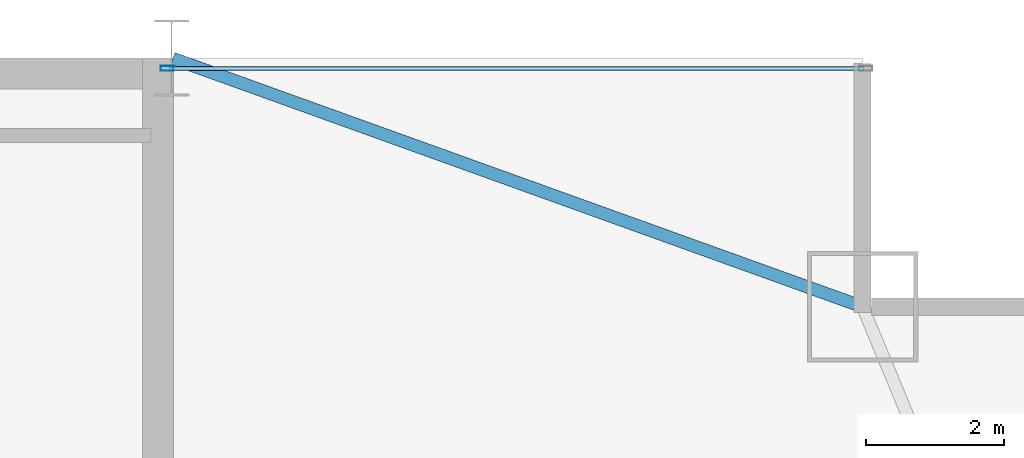
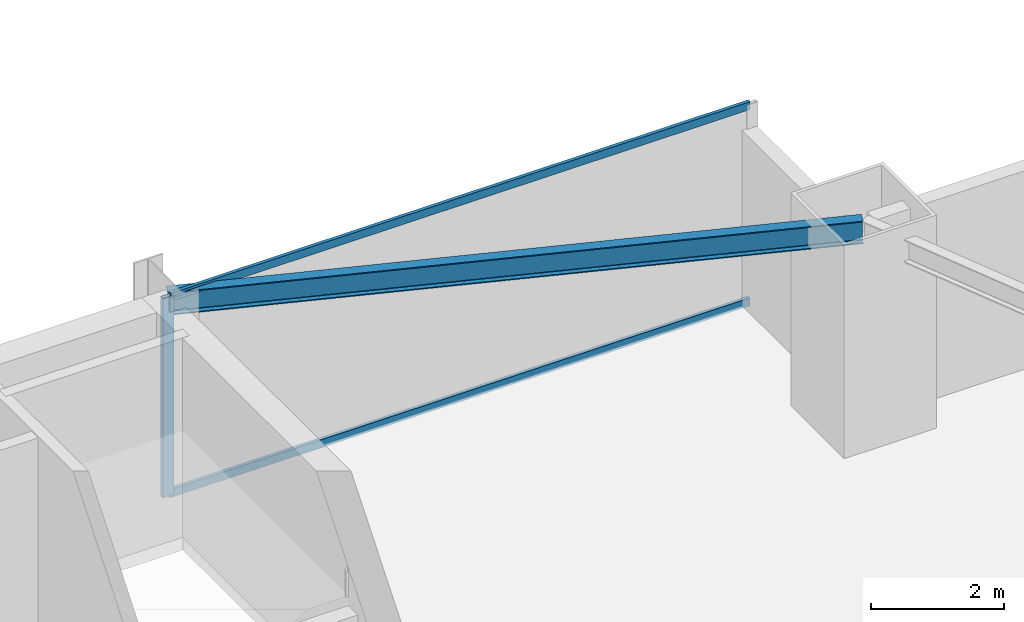
# One storey, part 23 of 32: 3 members, 1 beam, 1 element without a shape of its own.
"""IFC4 building model written with IfcOpenShell, lengths in metres."""

from ifc_helpers import new_model, si_unit, direction, frame, origin, origin_2d, place, context, subcontext, project, spatial, hollow_rectangle, i_section, extrude, source, transform, mapped, material, layer, layer_set, material_profile, profile_set, type_object, type_shapes, element, aggregate, save


model = new_model("IFC4")

# Units and contexts
model_context = context("Model", 3, precision=1e-05, world=origin(), true_north=direction((0.0, 1.0)))
body_context = subcontext(model_context, "Body", "Model", "MODEL_VIEW")
ifc_project = project(units=[si_unit("LENGTHUNIT", "METRE"), si_unit("AREAUNIT", "SQUARE_METRE"), si_unit("VOLUMEUNIT", "CUBIC_METRE"), si_unit("PLANEANGLEUNIT", "RADIAN"), si_unit("MASSUNIT", "GRAM", prefix="KILO")], contexts=[model_context])

# Site, building, storey
site_placement = place(None, origin())
site = spatial("IfcSite", under=ifc_project, at=site_placement, CompositionType="ELEMENT")
building_placement = place(site_placement, origin())
building = spatial("IfcBuilding", under=site, at=building_placement, Name="Varnel Quay Broadcast Tower", CompositionType="ELEMENT")
storey_placement = place(building_placement, frame((0.0, 0.0, 43.199951171875)))
storey = spatial("IfcBuildingStorey", under=building, at=storey_placement, Name="L09", CompositionType="ELEMENT", Elevation=43.199951171875)

# Beam
ifc_material_1 = material(Name="Structural Steel CSA G40.21 350W", Category="steel")
ifc_material_profile_1 = material_profile(ifc_material_1, i_section(OverallWidth=0.180908203125, OverallDepth=0.4169921875, WebThickness=0.010986328125, FlangeThickness=0.018310546875, FilletRadius=0.011962890625, at=origin_2d()), Name="W410X85")
ifc_profile_set_1 = profile_set([ifc_material_profile_1], Name="Structural Steel CSA G40.21 350W")
beam_type = type_object("IfcBeamType", Name="Beam_W410X85", PredefinedType="SPANDREL", material=ifc_profile_set_1)
shared_shape_1 = source(origin(), body_context, "Body", "SweptSolid", [
    extrude(i_section(OverallWidth=0.180908203125, OverallDepth=0.4169921875, WebThickness=0.010986328125, FlangeThickness=0.018310546875, FilletRadius=0.011962890625, at=origin_2d()), origin(), (0.0, 0.0, 1.0), 10.58837890625),
])
type_shapes(beam_type, [shared_shape_1])
beam_placement = place(storey_placement, frame((52.418701171875, 46.793212890625, 3.441650390625), z_axis=(0.940888587605, -0.338716202321, 0.0), x_axis=(0.338716202321, 0.940888587605, 0.0)))
element("IfcBeam", 1, at=beam_placement, inside=storey, type_object=beam_type, Name="L09 NE Tie Spandrel", PredefinedType="SPANDREL", context=body_context, shape_type="MappedRepresentation", body=[
    mapped(shared_shape_1, transform((0.0, 0.0, 0.0), x_axis=(1.0, 0.0, 0.0), y_axis=(0.0, 1.0, 0.0), z_axis=(0.0, 0.0, 1.0), scale=1.0)),
])

# Curtain wall, members
ifc_material_2 = material(Name="Anodised Bronze Aluminium 6063-T6", Category="aluminium")
ifc_layer = layer(ifc_material_2, 0.18994140625, Name="Anodised Bronze Aluminium 6063-T6")
ifc_layer_set = layer_set([ifc_layer], Name="Anodised Bronze Aluminium 6063-T6")
curtain_wall_type = type_object("IfcCurtainWallType", Name="CW_LowerTower", PredefinedType="NOTDEFINED", material=ifc_layer_set)
curtain_wall_placement = place(storey_placement, origin())
curtain_wall = element("IfcCurtainWall", 2, at=curtain_wall_placement, inside=storey, type_object=curtain_wall_type, Name="L09 NE Wing Curtain Wall", PredefinedType="NOTDEFINED")
ifc_material_profile_2 = material_profile(ifc_material_2, hollow_rectangle(XDim=0.06005859375, YDim=0.14501953125, WallThickness=0.00341796875, at=origin_2d()), Name="ALU60X145X3.5")
ifc_profile_set_2 = profile_set([ifc_material_profile_2], Name="Anodised Bronze Aluminium 6063-T6")
member_type_1 = type_object("IfcMemberType", Name="Tran_CWS-02", PredefinedType="USERDEFINED", material=ifc_profile_set_2)
shared_shape_2 = source(origin(), body_context, "Body", "SweptSolid", [
    extrude(hollow_rectangle(XDim=0.06005859375, YDim=0.14501953125, WallThickness=0.00341796875, at=origin_2d()), origin(), (0.0, 0.0, 1.0), 10.039794921875),
])
type_shapes(member_type_1, [shared_shape_2])
member_1_placement = place(storey_placement, frame((52.3701171875, 46.64990234375, 0.030029296875), z_axis=(1.0, 0.0, 0.0), x_axis=(0.0, 1.0, 0.0)))
member_1 = element("IfcMember", 3, at=member_1_placement, type_object=member_type_1, Name="CWS-02 transom 1.1", ObjectType="TRANSOM", PredefinedType="USERDEFINED", context=body_context, shape_type="MappedRepresentation", body=[
    mapped(shared_shape_2, transform((0.0, 0.0, 0.0), x_axis=(1.0, 0.0, 0.0), y_axis=(0.0, 1.0, 0.0), z_axis=(0.0, 0.0, 1.0), scale=1.0)),
])
member_2_placement = place(storey_placement, frame((52.3701171875, 46.64990234375, 3.6201171875), z_axis=(1.0, 0.0, 0.0), x_axis=(0.0, 1.0, 0.0)))
member_2 = element("IfcMember", 4, at=member_2_placement, type_object=member_type_1, Name="CWS-02 transom 1.2", ObjectType="TRANSOM", PredefinedType="USERDEFINED", context=body_context, shape_type="MappedRepresentation", body=[
    mapped(shared_shape_2, transform((0.0, 0.0, 0.0), x_axis=(1.0, 0.0, 0.0), y_axis=(0.0, 1.0, 0.0), z_axis=(0.0, 0.0, 1.0), scale=1.0)),
])
ifc_material_profile_3 = material_profile(ifc_material_2, hollow_rectangle(XDim=0.070068359375, YDim=0.18994140625, WallThickness=0.00390625, at=origin_2d()), Name="ALU70X190X4")
ifc_profile_set_3 = profile_set([ifc_material_profile_3], Name="Anodised Bronze Aluminium 6063-T6")
member_type_2 = type_object("IfcMemberType", Name="Mull_CWS-02", PredefinedType="MULLION", material=ifc_profile_set_3)
shared_shape_3 = source(origin(), body_context, "Body", "SweptSolid", [
    extrude(hollow_rectangle(XDim=0.070068359375, YDim=0.18994140625, WallThickness=0.00390625, at=origin_2d()), origin(), (0.0, 0.0, 1.0), 3.650146484375),
])
type_shapes(member_type_2, [shared_shape_3])
member_3_placement = place(storey_placement, frame((52.3349609375, 46.64990234375, 0.0), z_axis=(0.0, 0.0, 1.0), x_axis=(0.0, 1.0, 0.0)))
member_3 = element("IfcMember", 5, at=member_3_placement, type_object=member_type_2, Name="CWS-02 mullion 1", PredefinedType="MULLION", context=body_context, shape_type="MappedRepresentation", body=[
    mapped(shared_shape_3, transform((0.0, 0.0, 0.0), x_axis=(1.0, 0.0, 0.0), y_axis=(0.0, 1.0, 0.0), z_axis=(0.0, 0.0, 1.0), scale=1.0)),
])
aggregate(curtain_wall, [member_3, member_1, member_2])

save(model, "model.ifc")
